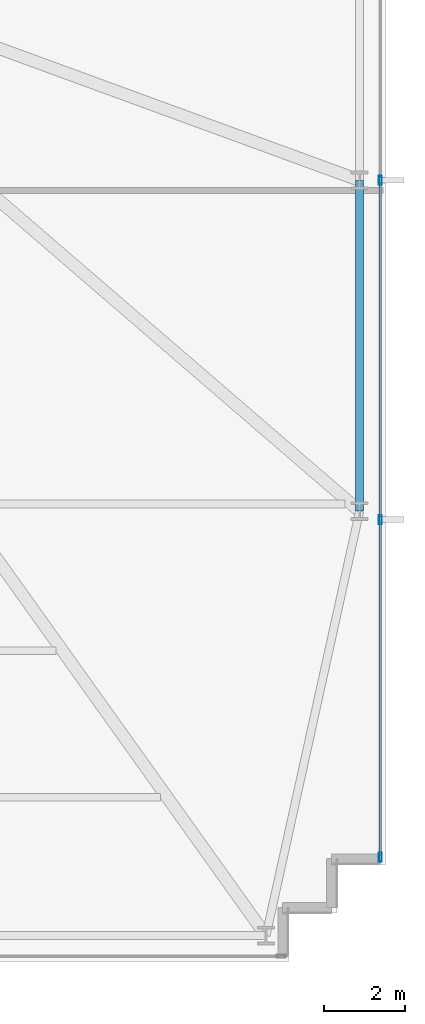
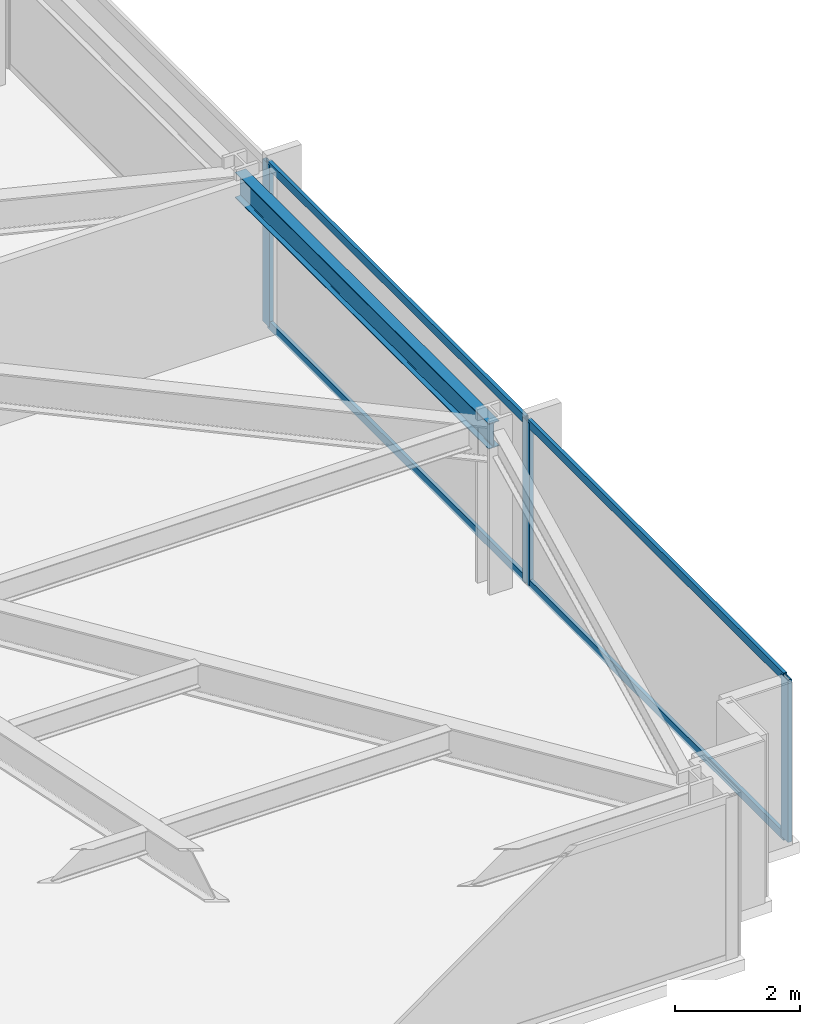
# One storey, part 22 of 33: 7 members, 1 beam, 1 element without a shape of its own.
"""IFC4 building model written with IfcOpenShell, lengths in metres."""

from ifc_helpers import new_model, si_unit, direction, frame, origin, origin_2d, place, context, subcontext, project, spatial, hollow_rectangle, i_section, extrude, material, material_profile, profile_set, type_object, element, aggregate, save


model = new_model("IFC4")

# Units and contexts
model_context = context("Model", 3, precision=1e-05, world=origin(), true_north=direction((0.0, 1.0)))
body_context = subcontext(model_context, "Body", "Model", "MODEL_VIEW")
ifc_project = project(units=[si_unit("LENGTHUNIT", "METRE"), si_unit("AREAUNIT", "SQUARE_METRE"), si_unit("VOLUMEUNIT", "CUBIC_METRE"), si_unit("PLANEANGLEUNIT", "RADIAN"), si_unit("MASSUNIT", "GRAM", prefix="KILO")], contexts=[model_context])

# Site, building, storey
site_placement = place(None, origin())
site = spatial("IfcSite", under=ifc_project, at=site_placement, CompositionType="ELEMENT")
building_placement = place(site_placement, origin())
building = spatial("IfcBuilding", under=site, at=building_placement, Name="Yelkora Congress Tower", CompositionType="ELEMENT")
storey_placement = place(building_placement, frame((0.0, 0.0, 64.39990234375)))
storey = spatial("IfcBuildingStorey", under=building, at=storey_placement, Name="L16", CompositionType="ELEMENT", Elevation=64.39990234375)

# Beam
ifc_material_1 = material(Name="Steel S355J2", Category="steel")
ifc_material_profile_1 = material_profile(ifc_material_1, i_section(OverallWidth=0.199951171875, OverallDepth=0.5, WebThickness=0.01025390625, FlangeThickness=0.01611328125, FilletRadius=0.02099609375, at=origin_2d()), Name="IPE 500")
ifc_profile_set_1 = profile_set([ifc_material_profile_1], Name="Steel S355J2")
beam_type = type_object("IfcBeamType", Name="BM-SPAN-IPE500", PredefinedType="SPANDREL", material=ifc_profile_set_1)
beam_placement = place(storey_placement, frame((70.14990234375, 21.27490234375, 2.93017578125), z_axis=(0.0, 1.0, 0.0), x_axis=(-1.0, 0.0, 0.0)))
element("IfcBeam", 1, at=beam_placement, inside=storey, type_object=beam_type, Name="L16 Perimeter Beam 11", PredefinedType="SPANDREL", context=body_context, shape_type="SweptSolid", body=[
    extrude(i_section(OverallWidth=0.199951171875, OverallDepth=0.5, WebThickness=0.01025390625, FlangeThickness=0.01611328125, FilletRadius=0.02099609375, at=origin_2d()), origin(), (0.0, 0.0, 1.0), 8.125),
])

# Curtain wall, members
ifc_material_2 = material(Name="Anodised aluminium and insulated glass", Category="aluminium")
curtain_wall_type = type_object("IfcCurtainWallType", Name="CW-SYS-B1", PredefinedType="NOTDEFINED", material=ifc_material_2)
curtain_wall_placement = place(storey_placement, origin())
curtain_wall = element("IfcCurtainWall", 2, at=curtain_wall_placement, inside=storey, type_object=curtain_wall_type, Name="L16 Unitised Curtain Wall 15", PredefinedType="NOTDEFINED")
ifc_material_3 = material(Name="Anodised aluminium 6063-T6", Category="aluminium")
ifc_material_profile_2 = material_profile(ifc_material_3, hollow_rectangle(XDim=0.074951171875, YDim=0.219970703125, WallThickness=0.0048828125, at=origin_2d()), Name="ALU 75x220x5")
ifc_profile_set_2 = profile_set([ifc_material_profile_2], Name="Anodised aluminium 6063-T6")
member_type_1 = type_object("IfcMemberType", Name="MEM-ML-B1", PredefinedType="MULLION", material=ifc_profile_set_2)
member_1_placement = place(storey_placement, frame((70.659912109375, 29.39990234375, 0.0), z_axis=(0.0, 0.0, 1.0), x_axis=(1.0, 0.0, 0.0)))
member_1 = element("IfcMember", 3, at=member_1_placement, type_object=member_type_1, Name="CW-B1 mullion 3", PredefinedType="MULLION", context=body_context, shape_type="SweptSolid", body=[
    extrude(hollow_rectangle(XDim=0.074951171875, YDim=0.219970703125, WallThickness=0.0048828125, at=origin_2d()), origin(), (0.0, 0.0, 1.0), 3.18017578125),
])
member_2_placement = place(storey_placement, frame((70.659912109375, 21.070068359375, 0.0), z_axis=(0.0, 0.0, 1.0), x_axis=(1.0, 0.0, 0.0)))
member_2 = element("IfcMember", 4, at=member_2_placement, type_object=member_type_1, Name="CW-B1 mullion 4", PredefinedType="MULLION", context=body_context, shape_type="SweptSolid", body=[
    extrude(hollow_rectangle(XDim=0.074951171875, YDim=0.219970703125, WallThickness=0.0048828125, at=origin_2d()), origin(), (0.0, 0.0, 1.0), 3.18017578125),
])
member_3_placement = place(storey_placement, frame((70.659912109375, 12.777587890625, 0.0), z_axis=(0.0, 0.0, 1.0), x_axis=(1.0, 0.0, 0.0)))
member_3 = element("IfcMember", 5, at=member_3_placement, type_object=member_type_1, Name="CW-B1 mullion 5", PredefinedType="MULLION", context=body_context, shape_type="SweptSolid", body=[
    extrude(hollow_rectangle(XDim=0.074951171875, YDim=0.219970703125, WallThickness=0.0048828125, at=origin_2d()), origin(), (0.0, 0.0, 1.0), 3.18017578125),
])
ifc_material_profile_3 = material_profile(ifc_material_3, hollow_rectangle(XDim=0.06494140625, YDim=0.159912109375, WallThickness=0.00390625, at=origin_2d()), Name="ALU 65x160x4")
ifc_profile_set_3 = profile_set([ifc_material_profile_3], Name="Anodised aluminium 6063-T6")
member_type_2 = type_object("IfcMemberType", Name="MEM-TR-B1", PredefinedType="USERDEFINED", material=ifc_profile_set_3)
member_4_placement = place(storey_placement, frame((70.659912109375, 29.362548828125, 0.03271484375), z_axis=(0.0, -1.0, 0.0), x_axis=(1.0, 0.0, 0.0)))
member_4 = element("IfcMember", 6, at=member_4_placement, type_object=member_type_2, Name="CW-B1 transom 3.1", ObjectType="TRANSOM", PredefinedType="USERDEFINED", context=body_context, shape_type="SweptSolid", body=[
    extrude(hollow_rectangle(XDim=0.06494140625, YDim=0.159912109375, WallThickness=0.00390625, at=origin_2d()), origin(), (0.0, 0.0, 1.0), 8.255126953125),
])
member_5_placement = place(storey_placement, frame((70.659912109375, 29.362548828125, 3.147705078125), z_axis=(0.0, -1.0, 0.0), x_axis=(1.0, 0.0, 0.0)))
member_5 = element("IfcMember", 7, at=member_5_placement, type_object=member_type_2, Name="CW-B1 transom 3.2", ObjectType="TRANSOM", PredefinedType="USERDEFINED", context=body_context, shape_type="SweptSolid", body=[
    extrude(hollow_rectangle(XDim=0.06494140625, YDim=0.159912109375, WallThickness=0.00390625, at=origin_2d()), origin(), (0.0, 0.0, 1.0), 8.255126953125),
])
member_6_placement = place(storey_placement, frame((70.659912109375, 21.032470703125, 0.03271484375), z_axis=(0.0, -1.0, 0.0), x_axis=(1.0, 0.0, 0.0)))
member_6 = element("IfcMember", 8, at=member_6_placement, type_object=member_type_2, Name="CW-B1 transom 4.1", ObjectType="TRANSOM", PredefinedType="USERDEFINED", context=body_context, shape_type="SweptSolid", body=[
    extrude(hollow_rectangle(XDim=0.06494140625, YDim=0.159912109375, WallThickness=0.00390625, at=origin_2d()), origin(), (0.0, 0.0, 1.0), 8.217529296875),
])
member_7_placement = place(storey_placement, frame((70.659912109375, 21.032470703125, 3.147705078125), z_axis=(0.0, -1.0, 0.0), x_axis=(1.0, 0.0, 0.0)))
member_7 = element("IfcMember", 9, at=member_7_placement, type_object=member_type_2, Name="CW-B1 transom 4.2", ObjectType="TRANSOM", PredefinedType="USERDEFINED", context=body_context, shape_type="SweptSolid", body=[
    extrude(hollow_rectangle(XDim=0.06494140625, YDim=0.159912109375, WallThickness=0.00390625, at=origin_2d()), origin(), (0.0, 0.0, 1.0), 8.217529296875),
])
aggregate(curtain_wall, [member_1, member_2, member_3, member_4, member_5, member_6, member_7])

save(model, "model.ifc")
